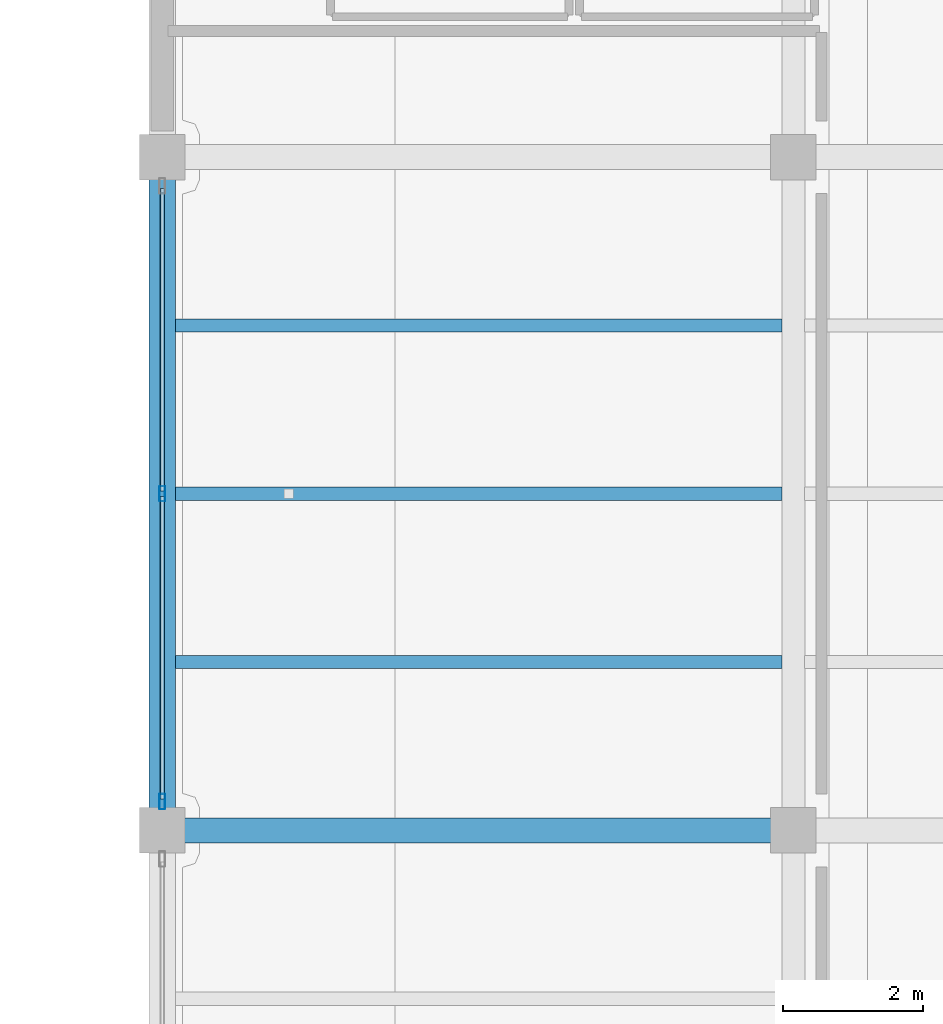
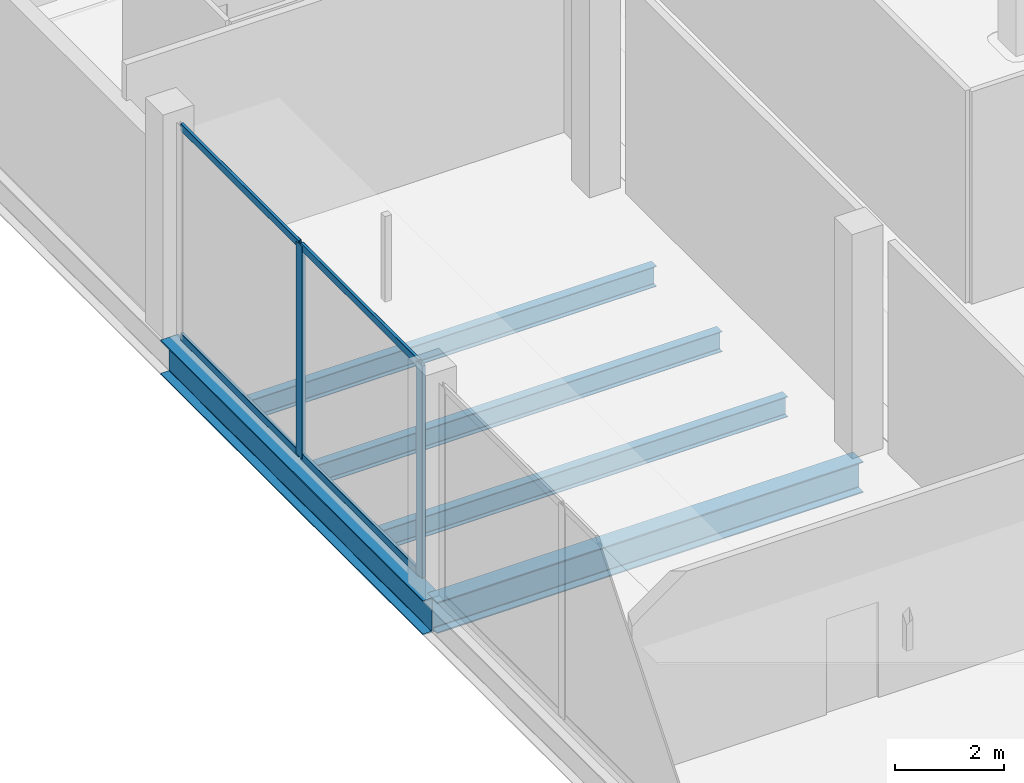
# One storey, part 11 of 46: 6 members, 5 beams, 1 element without a shape of its own.
"""IFC4 building model written with IfcOpenShell, lengths in metres."""

from ifc_helpers import new_model, si_unit, direction, frame, origin, origin_2d, place, context, subcontext, project, spatial, hollow_rectangle, i_section, extrude, material, layer, layer_set, material_profile, profile_set, type_object, element, aggregate, save


model = new_model("IFC4")

# Units and contexts
model_context = context("Model", 3, precision=1e-05, world=origin(), true_north=direction((0.0, 1.0)))
body_context = subcontext(model_context, "Body", "Model", "MODEL_VIEW")
ifc_project = project(units=[si_unit("LENGTHUNIT", "METRE"), si_unit("AREAUNIT", "SQUARE_METRE"), si_unit("VOLUMEUNIT", "CUBIC_METRE"), si_unit("PLANEANGLEUNIT", "RADIAN"), si_unit("MASSUNIT", "GRAM", prefix="KILO")], contexts=[model_context])

# Site, building, storey
site_placement = place(None, origin())
site = spatial("IfcSite", under=ifc_project, at=site_placement, CompositionType="ELEMENT")
building_placement = place(site_placement, origin())
building = spatial("IfcBuilding", under=site, at=building_placement, Name="Qorvath Tower", CompositionType="ELEMENT")
storey_placement = place(building_placement, frame((0.0, 0.0, 17.0)))
storey = spatial("IfcBuildingStorey", under=building, at=storey_placement, Name="L03", CompositionType="ELEMENT", Elevation=17.0)

# Beams
ifc_material_1 = material(Name="Steel ASTM A992 Grade 50", Category="steel")
ifc_material_profile_1 = material_profile(ifc_material_1, i_section(OverallWidth=0.381103515625, OverallDepth=0.77294921875, WebThickness=0.0166015625, FlangeThickness=0.027099609375, FilletRadius=0.01904296875, at=origin_2d()), Name="W30x173")
ifc_profile_set_1 = profile_set([ifc_material_profile_1], Name="Steel ASTM A992 Grade 50")
beam_type_1 = type_object("IfcBeamType", Name="BM-FG3", PredefinedType="BEAM", material=ifc_profile_set_1)
beam_1_placement = place(storey_placement, frame((32.39990234375, 9.60009765625, -0.646484375), z_axis=(0.0, 1.0, 0.0), x_axis=(-1.0, 0.0, 0.0)))
element("IfcBeam", 1, at=beam_1_placement, inside=storey, type_object=beam_type_1, Name="Library N-S Girder L03-1-6", PredefinedType="BEAM", context=body_context, shape_type="SweptSolid", body=[
    extrude(i_section(OverallWidth=0.381103515625, OverallDepth=0.77294921875, WebThickness=0.0166015625, FlangeThickness=0.027099609375, FilletRadius=0.01904296875, at=origin_2d()), origin(), (0.0, 0.0, 1.0), 9.599853515625),
])
ifc_material_2 = material(Name="Steel ASTM A992 Grade 50", Category="steel")
ifc_material_profile_2 = material_profile(ifc_material_2, i_section(OverallWidth=0.35595703125, OverallDepth=0.696044921875, WebThickness=0.015380859375, FlangeThickness=0.02490234375, FilletRadius=0.01806640625, at=origin_2d()), Name="W27x146")
ifc_profile_set_2 = profile_set([ifc_material_profile_2], Name="Steel ASTM A992 Grade 50")
beam_type_2 = type_object("IfcBeamType", Name="BM-FG4", PredefinedType="BEAM", material=ifc_profile_set_2)
beam_2_placement = place(storey_placement, frame((32.39990234375, 9.60009765625, -0.60791015625), z_axis=(1.0, 0.0, 0.0), x_axis=(0.0, 1.0, 0.0)))
element("IfcBeam", 2, at=beam_2_placement, inside=storey, type_object=beam_type_2, Name="Library E-W Girder L03-6-1", PredefinedType="BEAM", context=body_context, shape_type="SweptSolid", body=[
    extrude(i_section(OverallWidth=0.35595703125, OverallDepth=0.696044921875, WebThickness=0.015380859375, FlangeThickness=0.02490234375, FilletRadius=0.01806640625, at=origin_2d()), origin(), (0.0, 0.0, 1.0), 9.0),
])
ifc_material_3 = material(Name="Steel ASTM A992 Grade 50", Category="steel")
ifc_material_profile_3 = material_profile(ifc_material_3, i_section(OverallWidth=0.18994140625, OverallDepth=0.45703125, WebThickness=0.009033203125, FlangeThickness=0.014404296875, FilletRadius=0.011962890625, at=origin_2d()), Name="W18x50")
ifc_profile_set_3 = profile_set([ifc_material_profile_3], Name="Steel ASTM A992 Grade 50")
beam_type_3 = type_object("IfcBeamType", Name="BM-FJ2", PredefinedType="JOIST", material=ifc_profile_set_3)
for number, where, z_axis, x_axis, name in (
    (3, (32.58837890625, 12.0, -0.488525390625), (1.0, 0.0, 0.0), (0.0, 1.0, 0.0), "Library Stack Joist L03-6.1-1"),
    (4, (32.58837890625, 14.39990234375, -0.488525390625), (1.0, 0.0, 0.0), (0.0, 1.0, 0.0), "Library Stack Joist L03-6.2-1"),
    (5, (32.58837890625, 16.800048828125, -0.488525390625), (1.0, 0.0, 0.0), (0.0, 1.0, 0.0), "Library Stack Joist L03-6.3-1"),
):
    element("IfcBeam", number, at=place(storey_placement, frame(where, z_axis=z_axis, x_axis=x_axis)), inside=storey, type_object=beam_type_3, Name=name, PredefinedType="JOIST", context=body_context, shape_type="SweptSolid", body=[
        extrude(i_section(OverallWidth=0.18994140625, OverallDepth=0.45703125, WebThickness=0.009033203125, FlangeThickness=0.014404296875, FilletRadius=0.011962890625, at=origin_2d()), origin(), (0.0, 0.0, 1.0), 8.651123046875),
    ])

# Curtain wall, members
ifc_material_4 = material(Name="Anodised aluminium and triple low-E glass", Category="aluminium")
ifc_layer = layer(ifc_material_4, 0.179931640625)
ifc_layer_set = layer_set([ifc_layer], Name="CW-SYS-6")
curtain_wall_type = type_object("IfcCurtainWallType", Name="CW-SYS-6", PredefinedType="NOTDEFINED", material=ifc_layer_set)
curtain_wall_placement = place(storey_placement, origin())
curtain_wall = element("IfcCurtainWall", 6, at=curtain_wall_placement, inside=storey, type_object=curtain_wall_type, Name="Curtain Wall CW-6 CW-LIB-W-L03-6", PredefinedType="NOTDEFINED")
ifc_material_5 = material(Name="Anodised aluminium 6063-T6", Category="aluminium")
ifc_material_profile_4 = material_profile(ifc_material_5, hollow_rectangle(XDim=0.080078125, YDim=0.219970703125, WallThickness=0.00439453125, InnerFilletRadius=0.00439453125, OuterFilletRadius=0.009033203125, at=origin_2d()), Name="CWM LIB 220x80")
ifc_profile_set_4 = profile_set([ifc_material_profile_4], Name="Anodised aluminium 6063-T6")
member_type_1 = type_object("IfcMemberType", Name="CWM-LIB", PredefinedType="MULLION", material=ifc_profile_set_4)
member_1_placement = place(storey_placement, frame((32.39990234375, 10.010009765625, 0.0), z_axis=(0.0, 0.0, 1.0), x_axis=(-1.0, 0.0, 0.0)))
member_1 = element("IfcMember", 7, at=member_1_placement, type_object=member_type_1, Name="CW-6 mullion 1", PredefinedType="MULLION", context=body_context, shape_type="SweptSolid", body=[
    extrude(hollow_rectangle(XDim=0.080078125, YDim=0.219970703125, WallThickness=0.00439453125, InnerFilletRadius=0.00439453125, OuterFilletRadius=0.009033203125, at=origin_2d()), origin(), (0.0, 0.0, 1.0), 4.739990234375),
])
member_2_placement = place(storey_placement, frame((32.39990234375, 14.400146484375, 0.0), z_axis=(0.0, 0.0, 1.0), x_axis=(-1.0, 0.0, 0.0)))
member_2 = element("IfcMember", 8, at=member_2_placement, type_object=member_type_1, Name="CW-6 mullion 2", PredefinedType="MULLION", context=body_context, shape_type="SweptSolid", body=[
    extrude(hollow_rectangle(XDim=0.080078125, YDim=0.219970703125, WallThickness=0.00439453125, InnerFilletRadius=0.00439453125, OuterFilletRadius=0.009033203125, at=origin_2d()), origin(), (0.0, 0.0, 1.0), 4.739990234375),
])
ifc_material_6 = material(Name="Anodised aluminium 6063-T6", Category="aluminium")
ifc_material_profile_5 = material_profile(ifc_material_6, hollow_rectangle(XDim=0.06494140625, YDim=0.159912109375, WallThickness=0.00341796875, InnerFilletRadius=0.00341796875, OuterFilletRadius=0.007080078125, at=origin_2d()), Name="CWT 160x65")
ifc_profile_set_5 = profile_set([ifc_material_profile_5], Name="Anodised aluminium 6063-T6")
member_type_2 = type_object("IfcMemberType", Name="CWT-160", PredefinedType="USERDEFINED", material=ifc_profile_set_5)
member_3_placement = place(storey_placement, frame((32.39990234375, 10.050048828125, 0.032470703125), z_axis=(0.0, 1.0, 0.0), x_axis=(-1.0, 0.0, 0.0)))
member_3 = element("IfcMember", 9, at=member_3_placement, type_object=member_type_2, Name="CW-6 transom 1.1", ObjectType="TRANSOM", PredefinedType="USERDEFINED", context=body_context, shape_type="SweptSolid", body=[
    extrude(hollow_rectangle(XDim=0.06494140625, YDim=0.159912109375, WallThickness=0.00341796875, InnerFilletRadius=0.00341796875, OuterFilletRadius=0.007080078125, at=origin_2d()), origin(), (0.0, 0.0, 1.0), 4.31005859375),
])
member_4_placement = place(storey_placement, frame((32.39990234375, 10.050048828125, 4.70751953125), z_axis=(0.0, 1.0, 0.0), x_axis=(-1.0, 0.0, 0.0)))
member_4 = element("IfcMember", 10, at=member_4_placement, type_object=member_type_2, Name="CW-6 transom 1.2", ObjectType="TRANSOM", PredefinedType="USERDEFINED", context=body_context, shape_type="SweptSolid", body=[
    extrude(hollow_rectangle(XDim=0.06494140625, YDim=0.159912109375, WallThickness=0.00341796875, InnerFilletRadius=0.00341796875, OuterFilletRadius=0.007080078125, at=origin_2d()), origin(), (0.0, 0.0, 1.0), 4.31005859375),
])
member_5_placement = place(storey_placement, frame((32.39990234375, 14.43994140625, 0.032470703125), z_axis=(0.0, 1.0, 0.0), x_axis=(-1.0, 0.0, 0.0)))
member_5 = element("IfcMember", 11, at=member_5_placement, type_object=member_type_2, Name="CW-6 transom 2.1", ObjectType="TRANSOM", PredefinedType="USERDEFINED", context=body_context, shape_type="SweptSolid", body=[
    extrude(hollow_rectangle(XDim=0.06494140625, YDim=0.159912109375, WallThickness=0.00341796875, InnerFilletRadius=0.00341796875, OuterFilletRadius=0.007080078125, at=origin_2d()), origin(), (0.0, 0.0, 1.0), 4.31005859375),
])
member_6_placement = place(storey_placement, frame((32.39990234375, 14.43994140625, 4.70751953125), z_axis=(0.0, 1.0, 0.0), x_axis=(-1.0, 0.0, 0.0)))
member_6 = element("IfcMember", 12, at=member_6_placement, type_object=member_type_2, Name="CW-6 transom 2.2", ObjectType="TRANSOM", PredefinedType="USERDEFINED", context=body_context, shape_type="SweptSolid", body=[
    extrude(hollow_rectangle(XDim=0.06494140625, YDim=0.159912109375, WallThickness=0.00341796875, InnerFilletRadius=0.00341796875, OuterFilletRadius=0.007080078125, at=origin_2d()), origin(), (0.0, 0.0, 1.0), 4.31005859375),
])
aggregate(curtain_wall, [member_1, member_2, member_3, member_4, member_5, member_6])

save(model, "model.ifc")
